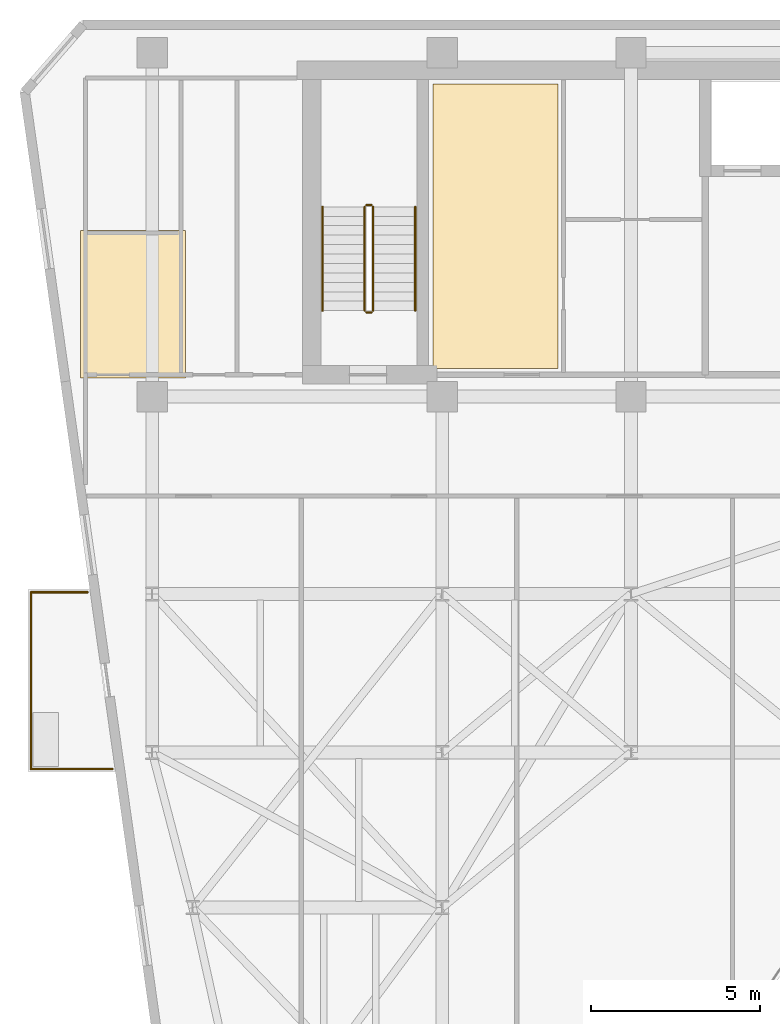
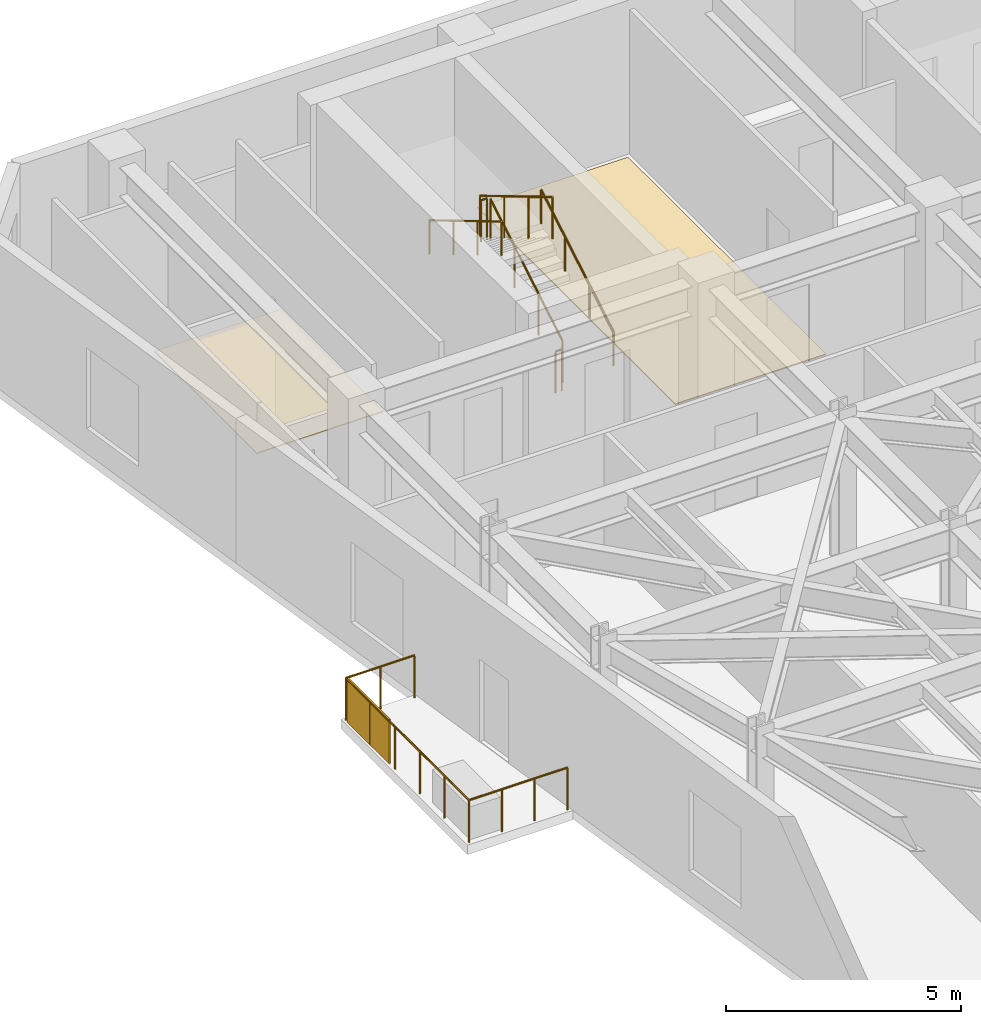
# One storey, part 19 of 21: 9 railings, 2 coverings, 1 shading device.
"""IFC4 building model written with IfcOpenShell, lengths in metres."""

from ifc_helpers import new_model, si_unit, direction, frame, origin, origin_2d, place, context, subcontext, project, spatial, polyline, rectangle, circle, outline, extrude, material, layer, layer_set, type_object, element, save


model = new_model("IFC4")

# Units and contexts
model_context = context("Model", 3, precision=1e-05, world=origin(), true_north=direction((0.0, 1.0)))
body_context = subcontext(model_context, "Body", "Model", "MODEL_VIEW")
ifc_project = project(units=[si_unit("LENGTHUNIT", "METRE"), si_unit("AREAUNIT", "SQUARE_METRE"), si_unit("VOLUMEUNIT", "CUBIC_METRE"), si_unit("PLANEANGLEUNIT", "RADIAN"), si_unit("MASSUNIT", "GRAM", prefix="KILO")], contexts=[model_context])

# Site, building, storey
site_placement = place(None, origin())
site = spatial("IfcSite", under=ifc_project, at=site_placement, CompositionType="ELEMENT")
building_placement = place(site_placement, origin())
building = spatial("IfcBuilding", under=site, at=building_placement, Name="Kravanh Interchange Tower", CompositionType="ELEMENT")
storey_placement = place(building_placement, frame((0.0, 0.0, 168.5)))
storey = spatial("IfcBuildingStorey", under=building, at=storey_placement, Name="L40", CompositionType="ELEMENT", Elevation=168.5)

# Coverings
ifc_material_1 = material(Name="Cementitious Terrazzo Tile")
ifc_layer_1 = layer(ifc_material_1, 0.030029296875)
ifc_layer_set_1 = layer_set([ifc_layer_1], Name="Honed Terrazzo Lobby Flooring 30mm")
covering_type_1 = type_object("IfcCoveringType", Name="Honed Terrazzo Lobby Flooring 30mm", PredefinedType="FLOORING", material=ifc_layer_set_1)
covering_1_placement = place(storey_placement, origin())
element("IfcCovering", 1, at=covering_1_placement, inside=storey, type_object=covering_type_1, Name="L40 Staff Break and Coffee Room Floor Finish", PredefinedType="FLOORING", context=body_context, shape_type="SweptSolid", body=[
    extrude(outline(polyline([(26.929931640625, 46.6201171875), (30.639892578125, 46.6201171875), (30.639892578125, 38.179931640625), (26.929931640625, 38.179931640625), (26.929931640625, 46.6201171875)])), origin(), (0.0, 0.0, 1.0), 0.030029296875),
])
ifc_material_2 = material(Name="Acoustic Mineral Fibre Tile on Aluminium Grid", Category="aluminium")
ifc_layer_2 = layer(ifc_material_2, 0.02490234375)
ifc_layer_set_2 = layer_set([ifc_layer_2], Name="Perforated Acoustic Mineral Ceiling 25mm")
covering_type_2 = type_object("IfcCoveringType", Name="Perforated Acoustic Mineral Ceiling 25mm", PredefinedType="CEILING", material=ifc_layer_set_2)
covering_2_placement = place(storey_placement, frame((0.0, 0.0, 2.550048828125)))
element("IfcCovering", 2, at=covering_2_placement, inside=storey, type_object=covering_type_2, Name="L40 Accessible WC Suspended Ceiling", PredefinedType="CEILING", context=body_context, shape_type="SweptSolid", body=[
    extrude(outline(polyline([(19.590087890625, 42.280029296875), (19.590087890625, 37.909912109375), (16.47998046875, 37.909912109375), (16.47998046875, 42.280029296875), (19.590087890625, 42.280029296875)])), origin(), (0.0, 0.0, 1.0), 0.02490234375),
])

# Shading device
ifc_material_3 = material(Name="Perforated Anodised Bronze Aluminium", Category="aluminium")
ifc_layer_3 = layer(ifc_material_3, 0.0400390625)
ifc_layer_set_3 = layer_set([ifc_layer_3], Name="Perforated Bronze Balcony Privacy Screen 1150mm")
shading_device_type = type_object("IfcShadingDeviceType", Name="Perforated Bronze Balcony Privacy Screen 1150mm", PredefinedType="USERDEFINED", material=ifc_layer_set_3)
shading_device_placement = place(storey_placement, frame((15.0009765625, 30.580078125, 0.0), z_axis=(0.0, 0.0, 1.0), x_axis=(1.0, 0.0, 0.0)))
element("IfcShadingDevice", 3, at=shading_device_placement, inside=storey, type_object=shading_device_type, Name="L40 W Perforated Bronze BALCONY SCREEN", ObjectType="SCREEN", PredefinedType="USERDEFINED", context=body_context, shape_type="SweptSolid", body=[
    extrude(rectangle(XDim=0.0400390625, YDim=1.800048828125, at=origin_2d()), origin(), (0.0, 0.0, 1.0), 1.14990234375),
])

# Railings
ifc_material_4 = material(Name="Stainless Steel 316", Category="steel")
ifc_layer_4 = layer(ifc_material_4, 0.06005859375)
ifc_layer_set_4 = layer_set([ifc_layer_4], Name="Perimeter Balcony and Terrace Guardrail Stainless 316 1120mm")
railing_type_1 = type_object("IfcRailingType", Name="Perimeter Balcony and Terrace Guardrail Stainless 316 1120mm", PredefinedType="GUARDRAIL", material=ifc_layer_set_4)
railing_1_placement = place(storey_placement, frame((15.0009765625, 26.31005859375, 0.0)))
element("IfcRailing", 4, at=railing_1_placement, inside=storey, type_object=railing_type_1, Name="L40 W Balcony Guardrail 1", PredefinedType="GUARDRAIL", context=body_context, shape_type="SweptSolid", body=[
    extrude(circle(Radius=0.02392578125, at=origin_2d()), frame((0.0, 0.0, 1.09619140625), z_axis=(0.0, 1.0, 0.0), x_axis=(-1.0, 0.0, 0.0)), (0.0, 0.0, 1.0), 5.239990234375),
    extrude(circle(Radius=0.02099609375, at=origin_2d()), origin(), (0.0, 0.0, 1.0), 1.072021484375),
    extrude(circle(Radius=0.02099609375, at=origin_2d()), frame((0.0, 1.048095703125, 0.0)), (0.0, 0.0, 1.0), 1.072021484375),
    extrude(circle(Radius=0.02099609375, at=origin_2d()), frame((0.0, 2.095947265625, 0.0)), (0.0, 0.0, 1.0), 1.072021484375),
    extrude(circle(Radius=0.02099609375, at=origin_2d()), frame((0.0, 3.14404296875, 0.0)), (0.0, 0.0, 1.0), 1.072021484375),
    extrude(circle(Radius=0.02099609375, at=origin_2d()), frame((0.0, 4.19189453125, 0.0)), (0.0, 0.0, 1.0), 1.072021484375),
    extrude(circle(Radius=0.02099609375, at=origin_2d()), frame((0.0, 5.239990234375, 0.0)), (0.0, 0.0, 1.0), 1.072021484375),
])
railing_2_placement = place(storey_placement, frame((15.0009765625, 31.550048828125, 0.0)))
element("IfcRailing", 5, at=railing_2_placement, inside=storey, type_object=railing_type_1, Name="L40 W Balcony Guardrail 2", PredefinedType="GUARDRAIL", context=body_context, shape_type="SweptSolid", body=[
    extrude(circle(Radius=0.02392578125, at=origin_2d()), frame((0.0, 0.0, 1.09619140625), z_axis=(1.0, 0.0, 0.0), x_axis=(0.0, 1.0, 0.0)), (0.0, 0.0, 1.0), 1.685302734375),
    extrude(circle(Radius=0.02099609375, at=origin_2d()), origin(), (0.0, 0.0, 1.0), 1.072021484375),
    extrude(circle(Radius=0.02099609375, at=origin_2d()), frame((0.8427734375, 0.0, 0.0)), (0.0, 0.0, 1.0), 1.072021484375),
    extrude(circle(Radius=0.02099609375, at=origin_2d()), frame((1.685302734375, 0.0, 0.0)), (0.0, 0.0, 1.0), 1.072021484375),
])
railing_3_placement = place(storey_placement, frame((17.422607421875, 26.31005859375, 0.0)))
element("IfcRailing", 6, at=railing_3_placement, inside=storey, type_object=railing_type_1, Name="L40 W Balcony Guardrail 3", PredefinedType="GUARDRAIL", context=body_context, shape_type="SweptSolid", body=[
    extrude(circle(Radius=0.02392578125, at=origin_2d()), frame((0.0, 0.0, 1.09619140625), z_axis=(-1.0, 0.0, 0.0), x_axis=(0.0, -1.0, 0.0)), (0.0, 0.0, 1.0), 2.421630859375),
    extrude(circle(Radius=0.02099609375, at=origin_2d()), origin(), (0.0, 0.0, 1.0), 1.072021484375),
    extrude(circle(Radius=0.02099609375, at=origin_2d()), frame((-0.80712890625, 0.0, 0.0)), (0.0, 0.0, 1.0), 1.072021484375),
    extrude(circle(Radius=0.02099609375, at=origin_2d()), frame((-1.614501953125, 0.0, 0.0)), (0.0, 0.0, 1.0), 1.072021484375),
    extrude(circle(Radius=0.02099609375, at=origin_2d()), frame((-2.421630859375, 0.0, 0.0)), (0.0, 0.0, 1.0), 1.072021484375),
])
ifc_material_5 = material(Name="Structural Steel S355", Category="steel")
ifc_layer_5 = layer(ifc_material_5, 0.050048828125)
ifc_layer_set_5 = layer_set([ifc_layer_5], Name="Stair Well Guardrail Structural Steel S355 1100mm")
railing_type_2 = type_object("IfcRailingType", Name="Stair Well Guardrail Structural Steel S355 1100mm", PredefinedType="GUARDRAIL", material=ifc_layer_set_5)
railing_4_placement = place(storey_placement, frame((25.14990234375, 39.89990234375, 0.166748046875)))
element("IfcRailing", 7, at=railing_4_placement, inside=storey, type_object=railing_type_2, Name="L40 ST3 stair guard 1", PredefinedType="GUARDRAIL", context=body_context, shape_type="SweptSolid", body=[
    extrude(circle(Radius=0.02392578125, at=origin_2d()), frame((0.0, 0.0, 1.076171875), z_axis=(0.0, 0.859308565015, 0.511457515432), x_axis=(-1.0, 0.0, 0.0)), (0.0, 0.0, 1.0), 3.58447265625),
    extrude(circle(Radius=0.02099609375, at=origin_2d()), origin(), (0.0, 0.0, 1.0), 1.052001953125),
    extrude(circle(Radius=0.02099609375, at=origin_2d()), frame((0.0, 1.026611328125, 0.611083984375)), (0.0, 0.0, 1.0), 1.052001953125),
    extrude(circle(Radius=0.02099609375, at=origin_2d()), frame((0.0, 2.053466796875, 1.22216796875)), (0.0, 0.0, 1.0), 1.052001953125),
    extrude(circle(Radius=0.02099609375, at=origin_2d()), frame((0.0, 3.080078125, 1.833251953125)), (0.0, 0.0, 1.0), 1.052001953125),
])
railing_5_placement = place(storey_placement, frame((25.10009765625, 43.030029296875, 2.0)))
element("IfcRailing", 8, at=railing_5_placement, inside=storey, type_object=railing_type_2, Name="L40 ST3 stair guard 2", PredefinedType="GUARDRAIL", context=body_context, shape_type="SweptSolid", body=[
    extrude(circle(Radius=0.02392578125, at=origin_2d()), frame((0.0, 0.0, 1.076171875), z_axis=(-1.0, 0.0, 0.0), x_axis=(0.0, -1.0, 0.0)), (0.0, 0.0, 1.0), 0.150146484375),
    extrude(circle(Radius=0.02099609375, at=origin_2d()), origin(), (0.0, 0.0, 1.0), 1.052001953125),
    extrude(circle(Radius=0.02099609375, at=origin_2d()), frame((-0.150146484375, 0.0, 0.0)), (0.0, 0.0, 1.0), 1.052001953125),
])
railing_6_placement = place(storey_placement, frame((24.89990234375, 42.97998046875, 2.166748046875)))
element("IfcRailing", 9, at=railing_6_placement, inside=storey, type_object=railing_type_2, Name="L40 ST3 stair guard 3", PredefinedType="GUARDRAIL", context=body_context, shape_type="SweptSolid", body=[
    extrude(circle(Radius=0.02392578125, at=origin_2d()), frame((0.0, 0.0, 1.076171875), z_axis=(0.0, -0.859308565015, 0.511457515432), x_axis=(1.0, 0.0, 0.0)), (0.0, 0.0, 1.0), 3.58447265625),
    extrude(circle(Radius=0.02099609375, at=origin_2d()), origin(), (0.0, 0.0, 1.0), 1.052001953125),
    extrude(circle(Radius=0.02099609375, at=origin_2d()), frame((0.0, -1.026611328125, 0.611083984375)), (0.0, 0.0, 1.0), 1.052001953125),
    extrude(circle(Radius=0.02099609375, at=origin_2d()), frame((0.0, -2.053466796875, 1.22216796875)), (0.0, 0.0, 1.0), 1.052001953125),
    extrude(circle(Radius=0.02099609375, at=origin_2d()), frame((0.0, -3.080078125, 1.833251953125)), (0.0, 0.0, 1.0), 1.052001953125),
])
railing_7_placement = place(storey_placement, frame((25.10009765625, 39.85009765625, 0.0)))
element("IfcRailing", 10, at=railing_7_placement, inside=storey, type_object=railing_type_2, Name="L40 ST3 stair guard 4", PredefinedType="GUARDRAIL", context=body_context, shape_type="SweptSolid", body=[
    extrude(circle(Radius=0.02392578125, at=origin_2d()), frame((0.0, 0.0, 1.076171875), z_axis=(-1.0, 0.0, 0.0), x_axis=(0.0, -1.0, 0.0)), (0.0, 0.0, 1.0), 0.150146484375),
    extrude(circle(Radius=0.02099609375, at=origin_2d()), origin(), (0.0, 0.0, 1.0), 1.052001953125),
    extrude(circle(Radius=0.02099609375, at=origin_2d()), frame((-0.150146484375, 0.0, 0.0)), (0.0, 0.0, 1.0), 1.052001953125),
])
ifc_material_6 = material(Name="Stainless Steel 304", Category="steel")
ifc_layer_6 = layer(ifc_material_6, 0.044921875)
ifc_layer_set_6 = layer_set([ifc_layer_6], Name="Tubular Stair Handrail Stainless 304 900mm")
railing_type_3 = type_object("IfcRailingType", Name="Tubular Stair Handrail Stainless 304 900mm", PredefinedType="HANDRAIL", material=ifc_layer_set_6)
railing_8_placement = place(storey_placement, frame((26.39990234375, 39.89990234375, 0.166748046875)))
element("IfcRailing", 11, at=railing_8_placement, inside=storey, type_object=railing_type_3, Name="L40 ST3 stair handrail 1", PredefinedType="HANDRAIL", context=body_context, shape_type="SweptSolid", body=[
    extrude(circle(Radius=0.02392578125, at=origin_2d()), frame((0.0, 0.0, 0.8759765625), z_axis=(0.0, 0.859308565015, 0.511457515432), x_axis=(-1.0, 0.0, 0.0)), (0.0, 0.0, 1.0), 3.58447265625),
    extrude(circle(Radius=0.02099609375, at=origin_2d()), origin(), (0.0, 0.0, 1.0), 0.851806640625),
    extrude(circle(Radius=0.02099609375, at=origin_2d()), frame((0.0, 1.026611328125, 0.611083984375)), (0.0, 0.0, 1.0), 0.851806640625),
    extrude(circle(Radius=0.02099609375, at=origin_2d()), frame((0.0, 2.053466796875, 1.22216796875)), (0.0, 0.0, 1.0), 0.851806640625),
    extrude(circle(Radius=0.02099609375, at=origin_2d()), frame((0.0, 3.080078125, 1.833251953125)), (0.0, 0.0, 1.0), 0.851806640625),
])
railing_9_placement = place(storey_placement, frame((23.64990234375, 42.97998046875, 2.166748046875)))
element("IfcRailing", 12, at=railing_9_placement, inside=storey, type_object=railing_type_3, Name="L40 ST3 stair handrail 2", PredefinedType="HANDRAIL", context=body_context, shape_type="SweptSolid", body=[
    extrude(circle(Radius=0.02392578125, at=origin_2d()), frame((0.0, 0.0, 0.8759765625), z_axis=(0.0, -0.859308565015, 0.511457515432), x_axis=(1.0, 0.0, 0.0)), (0.0, 0.0, 1.0), 3.58447265625),
    extrude(circle(Radius=0.02099609375, at=origin_2d()), origin(), (0.0, 0.0, 1.0), 0.851806640625),
    extrude(circle(Radius=0.02099609375, at=origin_2d()), frame((0.0, -1.026611328125, 0.611083984375)), (0.0, 0.0, 1.0), 0.851806640625),
    extrude(circle(Radius=0.02099609375, at=origin_2d()), frame((0.0, -2.053466796875, 1.22216796875)), (0.0, 0.0, 1.0), 0.851806640625),
    extrude(circle(Radius=0.02099609375, at=origin_2d()), frame((0.0, -3.080078125, 1.833251953125)), (0.0, 0.0, 1.0), 0.851806640625),
])

save(model, "model.ifc")
